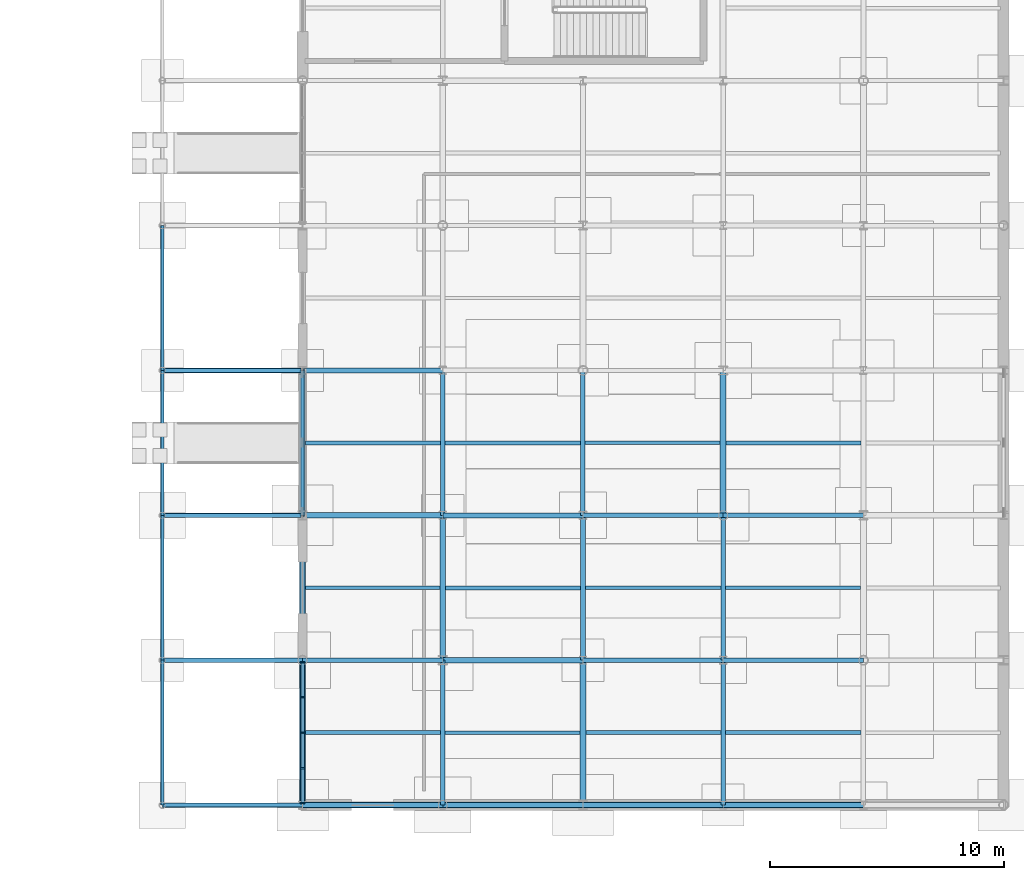
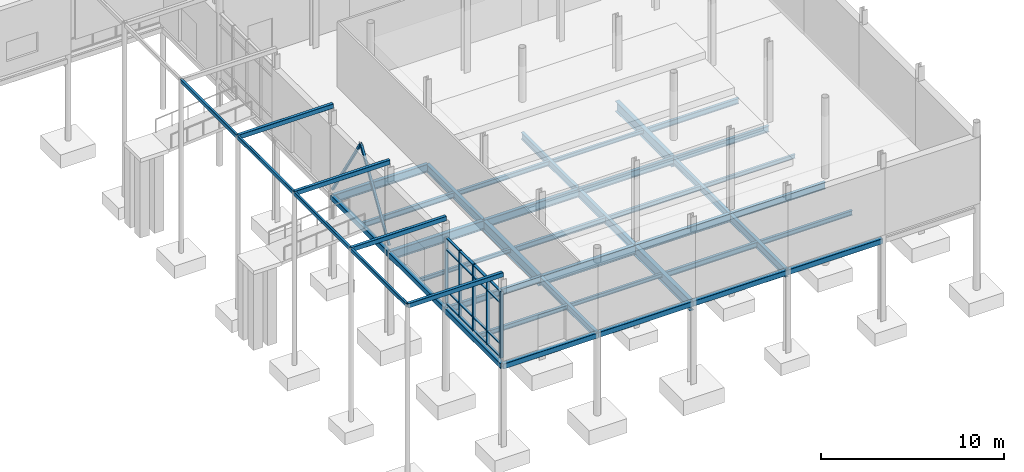
# One storey, part 49 of 98: 45 beams, 23 members, 1 element without a shape of its own.
"""IFC4 building model written with IfcOpenShell, lengths in metres."""

from ifc_helpers import new_model, si_unit, direction, frame, origin, origin_2d, place, context, subcontext, project, spatial, rectangle, hollow_rectangle, i_section, extrude, material, layer, layer_set, material_profile, profile_set, type_object, element, aggregate, save


model = new_model("IFC4")

# Units and contexts
model_context = context("Model", 3, precision=1e-05, world=origin(), true_north=direction((0.0, 1.0)))
body_context = subcontext(model_context, "Body", "Model", "MODEL_VIEW")
ifc_project = project(units=[si_unit("LENGTHUNIT", "METRE"), si_unit("AREAUNIT", "SQUARE_METRE"), si_unit("VOLUMEUNIT", "CUBIC_METRE"), si_unit("PLANEANGLEUNIT", "RADIAN"), si_unit("MASSUNIT", "GRAM", prefix="KILO")], contexts=[model_context])

# Site, building, storey
site_placement = place(None, origin())
site = spatial("IfcSite", under=ifc_project, at=site_placement, CompositionType="ELEMENT")
building_placement = place(site_placement, origin())
building = spatial("IfcBuilding", under=site, at=building_placement, Name="Mirzam Square Science Centre", CompositionType="ELEMENT")
storey_placement = place(building_placement, origin())
storey = spatial("IfcBuildingStorey", under=building, at=storey_placement, Name="L00", CompositionType="ELEMENT", Elevation=0.0)

# Beams
ifc_material_1 = material(Name="Steel S355", Category="steel")
ifc_material_profile_1 = material_profile(ifc_material_1, i_section(OverallWidth=0.1787109375, OverallDepth=0.409423828125, WebThickness=0.0087890625, FlangeThickness=0.014404296875, FilletRadius=0.01025390625, at=origin_2d()), Name="406x178x67UB")
ifc_profile_set_1 = profile_set([ifc_material_profile_1], Name="Steel S355")
beam_type_1 = type_object("IfcBeamType", Name="BM-UB406", PredefinedType="BEAM", material=ifc_profile_set_1)
for number, where, z_axis, x_axis, name in (
    (1, (132.0, 6.199951171875, -0.504638671875), (1.0, 0.0, 0.0), (0.0, 1.0, 0.0), "L00 girder X23-2"),
    (2, (150.0, 12.39990234375, -0.504638671875), (1.0, 0.0, 0.0), (0.0, 1.0, 0.0), "L00 girder X26-3"),
):
    element("IfcBeam", number, at=place(storey_placement, frame(where, z_axis=z_axis, x_axis=x_axis)), inside=storey, type_object=beam_type_1, Name=name, PredefinedType="BEAM", context=body_context, shape_type="SweptSolid", body=[
        extrude(i_section(OverallWidth=0.1787109375, OverallDepth=0.409423828125, WebThickness=0.0087890625, FlangeThickness=0.014404296875, FilletRadius=0.01025390625, at=origin_2d()), origin(), (0.0, 0.0, 1.0), 6.0),
    ])
ifc_material_profile_2 = material_profile(ifc_material_1, i_section(OverallWidth=0.19140625, OverallDepth=0.4599609375, WebThickness=0.010009765625, FlangeThickness=0.01611328125, FilletRadius=0.01025390625, at=origin_2d()), Name="457x191x82UB")
ifc_profile_set_2 = profile_set([ifc_material_profile_2], Name="Steel S355")
beam_type_2 = type_object("IfcBeamType", Name="BM-UB457", PredefinedType="BEAM", material=ifc_profile_set_2)
for number, where, z_axis, x_axis, name in (
    (3, (150.0, 6.199951171875, -0.530029296875), (1.0, 0.0, 0.0), (0.0, 1.0, 0.0), "L00 girder X26-2"),
    (4, (144.0, 12.39990234375, -0.530029296875), (1.0, 0.0, 0.0), (0.0, 1.0, 0.0), "L00 girder X25-3"),
):
    element("IfcBeam", number, at=place(storey_placement, frame(where, z_axis=z_axis, x_axis=x_axis)), inside=storey, type_object=beam_type_2, Name=name, PredefinedType="BEAM", context=body_context, shape_type="SweptSolid", body=[
        extrude(i_section(OverallWidth=0.19140625, OverallDepth=0.4599609375, WebThickness=0.010009765625, FlangeThickness=0.01611328125, FilletRadius=0.01025390625, at=origin_2d()), origin(), (0.0, 0.0, 1.0), 6.0),
    ])
beam_1_placement = place(storey_placement, frame((138.0, 0.0, -0.530029296875), z_axis=(0.0, 1.0, 0.0), x_axis=(-1.0, 0.0, 0.0)))
element("IfcBeam", 5, at=beam_1_placement, inside=storey, type_object=beam_type_2, Name="L00 girder Y24-1", PredefinedType="BEAM", context=body_context, shape_type="SweptSolid", body=[
    extrude(i_section(OverallWidth=0.19140625, OverallDepth=0.4599609375, WebThickness=0.010009765625, FlangeThickness=0.01611328125, FilletRadius=0.01025390625, at=origin_2d()), origin(), (0.0, 0.0, 1.0), 6.199951171875),
])
beam_2_placement = place(storey_placement, frame((144.0, 12.39990234375, -0.530029296875), z_axis=(0.0, 1.0, 0.0), x_axis=(-1.0, 0.0, 0.0)))
element("IfcBeam", 6, at=beam_2_placement, inside=storey, type_object=beam_type_2, Name="L00 girder Y25-3", PredefinedType="BEAM", context=body_context, shape_type="SweptSolid", body=[
    extrude(i_section(OverallWidth=0.19140625, OverallDepth=0.4599609375, WebThickness=0.010009765625, FlangeThickness=0.01611328125, FilletRadius=0.01025390625, at=origin_2d()), origin(), (0.0, 0.0, 1.0), 6.2001953125),
])
beam_3_placement = place(storey_placement, frame((150.0, 6.199951171875, -0.530029296875), z_axis=(0.0, 1.0, 0.0), x_axis=(-1.0, 0.0, 0.0)))
element("IfcBeam", 7, at=beam_3_placement, inside=storey, type_object=beam_type_2, Name="L00 girder Y26-2", PredefinedType="BEAM", context=body_context, shape_type="SweptSolid", body=[
    extrude(i_section(OverallWidth=0.19140625, OverallDepth=0.4599609375, WebThickness=0.010009765625, FlangeThickness=0.01611328125, FilletRadius=0.01025390625, at=origin_2d()), origin(), (0.0, 0.0, 1.0), 6.199951171875),
])
ifc_material_profile_3 = material_profile(ifc_material_1, i_section(OverallWidth=0.2099609375, OverallDepth=0.53662109375, WebThickness=0.0107421875, FlangeThickness=0.017333984375, FilletRadius=0.0126953125, at=origin_2d()), Name="533x210x101UB")
ifc_profile_set_3 = profile_set([ifc_material_profile_3], Name="Steel S355")
beam_type_3 = type_object("IfcBeamType", Name="BM-UB533", PredefinedType="BEAM", material=ifc_profile_set_3)
for number, where, z_axis, x_axis, name in (
    (8, (144.0, 6.199951171875, -0.568359375), (1.0, 0.0, 0.0), (0.0, 1.0, 0.0), "L00 girder X25-2"),
    (9, (138.0, 12.39990234375, -0.568359375), (1.0, 0.0, 0.0), (0.0, 1.0, 0.0), "L00 girder X24-3"),
    (10, (132.0, 18.60009765625, -0.568359375), (1.0, 0.0, 0.0), (0.0, 1.0, 0.0), "L00 girder X23-4"),
):
    element("IfcBeam", number, at=place(storey_placement, frame(where, z_axis=z_axis, x_axis=x_axis)), inside=storey, type_object=beam_type_3, Name=name, PredefinedType="BEAM", context=body_context, shape_type="SweptSolid", body=[
        extrude(i_section(OverallWidth=0.2099609375, OverallDepth=0.53662109375, WebThickness=0.0107421875, FlangeThickness=0.017333984375, FilletRadius=0.0126953125, at=origin_2d()), origin(), (0.0, 0.0, 1.0), 6.0),
    ])
beam_4_placement = place(storey_placement, frame((138.0, 12.39990234375, -0.568359375), z_axis=(0.0, 1.0, 0.0), x_axis=(-1.0, 0.0, 0.0)))
element("IfcBeam", 11, at=beam_4_placement, inside=storey, type_object=beam_type_3, Name="L00 girder Y24-3", PredefinedType="BEAM", context=body_context, shape_type="SweptSolid", body=[
    extrude(i_section(OverallWidth=0.2099609375, OverallDepth=0.53662109375, WebThickness=0.0107421875, FlangeThickness=0.017333984375, FilletRadius=0.0126953125, at=origin_2d()), origin(), (0.0, 0.0, 1.0), 6.2001953125),
])
for number, where, z_axis, x_axis, name in (
    (12, (144.0, 6.199951171875, -0.568359375), (0.0, 1.0, 0.0), (-1.0, 0.0, 0.0), "L00 girder Y25-2"),
    (13, (150.0, 0.0, -0.568359375), (0.0, 1.0, 0.0), (-1.0, 0.0, 0.0), "L00 girder Y26-1"),
):
    element("IfcBeam", number, at=place(storey_placement, frame(where, z_axis=z_axis, x_axis=x_axis)), inside=storey, type_object=beam_type_3, Name=name, PredefinedType="BEAM", context=body_context, shape_type="SweptSolid", body=[
        extrude(i_section(OverallWidth=0.2099609375, OverallDepth=0.53662109375, WebThickness=0.0107421875, FlangeThickness=0.017333984375, FilletRadius=0.0126953125, at=origin_2d()), origin(), (0.0, 0.0, 1.0), 6.199951171875),
    ])
ifc_material_profile_4 = material_profile(ifc_material_1, i_section(OverallWidth=0.22900390625, OverallDepth=0.6123046875, WebThickness=0.011962890625, FlangeThickness=0.01953125, FilletRadius=0.0126953125, at=origin_2d()), Name="610x229x125UB")
ifc_profile_set_4 = profile_set([ifc_material_profile_4], Name="Steel S355")
beam_type_4 = type_object("IfcBeamType", Name="BM-UB610", PredefinedType="BEAM", material=ifc_profile_set_4)
for number, where, z_axis, x_axis, name in (
    (14, (138.0, 6.199951171875, -0.606201171875), (1.0, 0.0, 0.0), (0.0, 1.0, 0.0), "L00 girder X24-2"),
    (15, (132.0, 12.39990234375, -0.606201171875), (1.0, 0.0, 0.0), (0.0, 1.0, 0.0), "L00 girder X23-3"),
):
    element("IfcBeam", number, at=place(storey_placement, frame(where, z_axis=z_axis, x_axis=x_axis)), inside=storey, type_object=beam_type_4, Name=name, PredefinedType="BEAM", context=body_context, shape_type="SweptSolid", body=[
        extrude(i_section(OverallWidth=0.22900390625, OverallDepth=0.6123046875, WebThickness=0.011962890625, FlangeThickness=0.01953125, FilletRadius=0.0126953125, at=origin_2d()), origin(), (0.0, 0.0, 1.0), 6.0),
    ])
ifc_material_profile_5 = material_profile(ifc_material_1, i_section(OverallWidth=0.25439453125, OverallDepth=0.6875, WebThickness=0.01318359375, FlangeThickness=0.02099609375, FilletRadius=0.01513671875, at=origin_2d()), Name="686x254x152UB")
ifc_profile_set_5 = profile_set([ifc_material_profile_5], Name="Steel S355")
beam_type_5 = type_object("IfcBeamType", Name="BM-UB686", PredefinedType="BEAM", material=ifc_profile_set_5)
for number, where, z_axis, x_axis, name in (
    (16, (138.0, 6.199951171875, -0.643798828125), (0.0, 1.0, 0.0), (-1.0, 0.0, 0.0), "L00 girder Y24-2"),
    (17, (144.0, 0.0, -0.643798828125), (0.0, 1.0, 0.0), (-1.0, 0.0, 0.0), "L00 girder Y25-1"),
):
    element("IfcBeam", number, at=place(storey_placement, frame(where, z_axis=z_axis, x_axis=x_axis)), inside=storey, type_object=beam_type_5, Name=name, PredefinedType="BEAM", context=body_context, shape_type="SweptSolid", body=[
        extrude(i_section(OverallWidth=0.25439453125, OverallDepth=0.6875, WebThickness=0.01318359375, FlangeThickness=0.02099609375, FilletRadius=0.01513671875, at=origin_2d()), origin(), (0.0, 0.0, 1.0), 6.199951171875),
    ])
beam_5_placement = place(storey_placement, frame((150.0, 12.39990234375, -0.643798828125), z_axis=(0.0, 1.0, 0.0), x_axis=(-1.0, 0.0, 0.0)))
element("IfcBeam", 18, at=beam_5_placement, inside=storey, type_object=beam_type_5, Name="L00 girder Y26-3", PredefinedType="BEAM", context=body_context, shape_type="SweptSolid", body=[
    extrude(i_section(OverallWidth=0.25439453125, OverallDepth=0.6875, WebThickness=0.01318359375, FlangeThickness=0.02099609375, FilletRadius=0.01513671875, at=origin_2d()), origin(), (0.0, 0.0, 1.0), 6.2001953125),
])

# Members
ifc_material_profile_6 = material_profile(ifc_material_1, hollow_rectangle(XDim=0.14990234375, YDim=0.14990234375, WallThickness=0.008056640625, InnerFilletRadius=0.008056640625, OuterFilletRadius=0.01611328125, at=origin_2d()), Name="150x150x8.0SHS")
ifc_profile_set_6 = profile_set([ifc_material_profile_6], Name="Steel S355")
member_type_1 = type_object("IfcMemberType", Name="BR-SHS150", PredefinedType="BRACE", material=ifc_profile_set_6)
for number, where, z_axis, x_axis, name in (
    (19, (132.0, 12.39990234375, 0.050048828125), (0.0, 0.532707561114, 0.84629938812), (-1.0, 0.0, 0.0), "L00 chevron brace 6A"),
    (20, (132.0, 18.60009765625, 0.050048828125), (0.0, -0.532707561114, 0.84629938812), (1.0, 0.0, 0.0), "L00 chevron brace 6B"),
):
    element("IfcMember", number, at=place(storey_placement, frame(where, z_axis=z_axis, x_axis=x_axis)), inside=storey, type_object=member_type_1, Name=name, PredefinedType="BRACE", context=body_context, shape_type="SweptSolid", body=[
        extrude(hollow_rectangle(XDim=0.14990234375, YDim=0.14990234375, WallThickness=0.008056640625, InnerFilletRadius=0.008056640625, OuterFilletRadius=0.01611328125, at=origin_2d()), origin(), (0.0, 0.0, 1.0), 5.819580078125),
    ])

# Curtain wall, members
ifc_material_2 = material(Name="Anodised Aluminium and Low-E Solar Glass", Category="aluminium")
ifc_layer = layer(ifc_material_2, 0.199951171875)
ifc_layer_set = layer_set([ifc_layer], Name="CW-EAST-A")
curtain_wall_type = type_object("IfcCurtainWallType", Name="CW-EAST-A", PredefinedType="USERDEFINED", material=ifc_layer_set)
curtain_wall_placement = place(storey_placement, origin())
curtain_wall = element("IfcCurtainWall", 21, at=curtain_wall_placement, inside=storey, type_object=curtain_wall_type, Name="L00 unitised curtain wall 58", ObjectType="UNITISED CURTAIN WALL", PredefinedType="USERDEFINED")
ifc_material_3 = material(Name="Anodised Architectural Aluminium 6063-T6", Category="aluminium")
ifc_material_profile_7 = material_profile(ifc_material_3, rectangle(XDim=0.06494140625, YDim=0.199951171875, at=origin_2d()), Name="ALU-MULL-200x65x5")
ifc_profile_set_7 = profile_set([ifc_material_profile_7], Name="Anodised Architectural Aluminium 6063-T6")
member_type_2 = type_object("IfcMemberType", Name="CWM-200", PredefinedType="MULLION", material=ifc_profile_set_7)
member_1_placement = place(storey_placement, frame((132.0, 6.112548828125, 0.0), z_axis=(0.0, 0.0, 1.0), x_axis=(0.0, -1.0, 0.0)))
member_1 = element("IfcMember", 22, at=member_1_placement, type_object=member_type_2, Name="CW-05 mullion 1", PredefinedType="MULLION", context=body_context, shape_type="SweptSolid", body=[
    extrude(rectangle(XDim=0.06494140625, YDim=0.199951171875, at=origin_2d()), origin(), (0.0, 0.0, 1.0), 4.43994140625),
])
member_2_placement = place(storey_placement, frame((132.0, 4.62255859375, 0.0), z_axis=(0.0, 0.0, 1.0), x_axis=(0.0, -1.0, 0.0)))
member_2 = element("IfcMember", 23, at=member_2_placement, type_object=member_type_2, Name="CW-05 mullion 2", PredefinedType="MULLION", context=body_context, shape_type="SweptSolid", body=[
    extrude(rectangle(XDim=0.06494140625, YDim=0.199951171875, at=origin_2d()), origin(), (0.0, 0.0, 1.0), 4.43994140625),
])
member_3_placement = place(storey_placement, frame((132.0, 3.10009765625, 0.0), z_axis=(0.0, 0.0, 1.0), x_axis=(0.0, -1.0, 0.0)))
member_3 = element("IfcMember", 24, at=member_3_placement, type_object=member_type_2, Name="CW-05 mullion 3", PredefinedType="MULLION", context=body_context, shape_type="SweptSolid", body=[
    extrude(rectangle(XDim=0.06494140625, YDim=0.199951171875, at=origin_2d()), origin(), (0.0, 0.0, 1.0), 4.43994140625),
])
member_4_placement = place(storey_placement, frame((132.0, 1.577392578125, 0.0), z_axis=(0.0, 0.0, 1.0), x_axis=(0.0, -1.0, 0.0)))
member_4 = element("IfcMember", 25, at=member_4_placement, type_object=member_type_2, Name="CW-05 mullion 4", PredefinedType="MULLION", context=body_context, shape_type="SweptSolid", body=[
    extrude(rectangle(XDim=0.06494140625, YDim=0.199951171875, at=origin_2d()), origin(), (0.0, 0.0, 1.0), 4.43994140625),
])
member_5_placement = place(storey_placement, frame((132.0, 0.08740234375, 0.0), z_axis=(0.0, 0.0, 1.0), x_axis=(0.0, -1.0, 0.0)))
member_5 = element("IfcMember", 26, at=member_5_placement, type_object=member_type_2, Name="CW-05 mullion 5", PredefinedType="MULLION", context=body_context, shape_type="SweptSolid", body=[
    extrude(rectangle(XDim=0.06494140625, YDim=0.199951171875, at=origin_2d()), origin(), (0.0, 0.0, 1.0), 4.43994140625),
])
ifc_material_profile_8 = material_profile(ifc_material_3, rectangle(XDim=0.14990234375, YDim=0.06494140625, at=origin_2d()), Name="ALU-TRAN-150x65x4")
ifc_profile_set_8 = profile_set([ifc_material_profile_8], Name="Anodised Architectural Aluminium 6063-T6")
member_type_3 = type_object("IfcMemberType", Name="CWT-150", PredefinedType="USERDEFINED", material=ifc_profile_set_8)
member_6_placement = place(storey_placement, frame((132.0, 6.080078125, 0.032470703125), z_axis=(0.0, -1.0, 0.0), x_axis=(1.0, 0.0, 0.0)))
member_6 = element("IfcMember", 27, at=member_6_placement, type_object=member_type_3, Name="CW-05 transom 1.1", ObjectType="TRANSOM", PredefinedType="USERDEFINED", context=body_context, shape_type="SweptSolid", body=[
    extrude(rectangle(XDim=0.14990234375, YDim=0.06494140625, at=origin_2d()), origin(), (0.0, 0.0, 1.0), 1.425048828125),
])
member_7_placement = place(storey_placement, frame((132.0, 6.080078125, 0.89990234375), z_axis=(0.0, -1.0, 0.0), x_axis=(1.0, 0.0, 0.0)))
member_7 = element("IfcMember", 28, at=member_7_placement, type_object=member_type_3, Name="CW-05 transom 1.2", ObjectType="TRANSOM", PredefinedType="USERDEFINED", context=body_context, shape_type="SweptSolid", body=[
    extrude(rectangle(XDim=0.14990234375, YDim=0.06494140625, at=origin_2d()), origin(), (0.0, 0.0, 1.0), 1.425048828125),
])
member_8_placement = place(storey_placement, frame((132.0, 6.080078125, 3.639892578125), z_axis=(0.0, -1.0, 0.0), x_axis=(1.0, 0.0, 0.0)))
member_8 = element("IfcMember", 29, at=member_8_placement, type_object=member_type_3, Name="CW-05 transom 1.3", ObjectType="TRANSOM", PredefinedType="USERDEFINED", context=body_context, shape_type="SweptSolid", body=[
    extrude(rectangle(XDim=0.14990234375, YDim=0.06494140625, at=origin_2d()), origin(), (0.0, 0.0, 1.0), 1.425048828125),
])
member_9_placement = place(storey_placement, frame((132.0, 6.080078125, 4.407470703125), z_axis=(0.0, -1.0, 0.0), x_axis=(1.0, 0.0, 0.0)))
member_9 = element("IfcMember", 30, at=member_9_placement, type_object=member_type_3, Name="CW-05 transom 1.4", ObjectType="TRANSOM", PredefinedType="USERDEFINED", context=body_context, shape_type="SweptSolid", body=[
    extrude(rectangle(XDim=0.14990234375, YDim=0.06494140625, at=origin_2d()), origin(), (0.0, 0.0, 1.0), 1.425048828125),
])
member_10_placement = place(storey_placement, frame((132.0, 4.590087890625, 0.032470703125), z_axis=(0.0, -1.0, 0.0), x_axis=(1.0, 0.0, 0.0)))
member_10 = element("IfcMember", 31, at=member_10_placement, type_object=member_type_3, Name="CW-05 transom 2.1", ObjectType="TRANSOM", PredefinedType="USERDEFINED", context=body_context, shape_type="SweptSolid", body=[
    extrude(rectangle(XDim=0.14990234375, YDim=0.06494140625, at=origin_2d()), origin(), (0.0, 0.0, 1.0), 1.45751953125),
])
member_11_placement = place(storey_placement, frame((132.0, 4.590087890625, 0.89990234375), z_axis=(0.0, -1.0, 0.0), x_axis=(1.0, 0.0, 0.0)))
member_11 = element("IfcMember", 32, at=member_11_placement, type_object=member_type_3, Name="CW-05 transom 2.2", ObjectType="TRANSOM", PredefinedType="USERDEFINED", context=body_context, shape_type="SweptSolid", body=[
    extrude(rectangle(XDim=0.14990234375, YDim=0.06494140625, at=origin_2d()), origin(), (0.0, 0.0, 1.0), 1.45751953125),
])
member_12_placement = place(storey_placement, frame((132.0, 4.590087890625, 3.639892578125), z_axis=(0.0, -1.0, 0.0), x_axis=(1.0, 0.0, 0.0)))
member_12 = element("IfcMember", 33, at=member_12_placement, type_object=member_type_3, Name="CW-05 transom 2.3", ObjectType="TRANSOM", PredefinedType="USERDEFINED", context=body_context, shape_type="SweptSolid", body=[
    extrude(rectangle(XDim=0.14990234375, YDim=0.06494140625, at=origin_2d()), origin(), (0.0, 0.0, 1.0), 1.45751953125),
])
member_13_placement = place(storey_placement, frame((132.0, 4.590087890625, 4.407470703125), z_axis=(0.0, -1.0, 0.0), x_axis=(1.0, 0.0, 0.0)))
member_13 = element("IfcMember", 34, at=member_13_placement, type_object=member_type_3, Name="CW-05 transom 2.4", ObjectType="TRANSOM", PredefinedType="USERDEFINED", context=body_context, shape_type="SweptSolid", body=[
    extrude(rectangle(XDim=0.14990234375, YDim=0.06494140625, at=origin_2d()), origin(), (0.0, 0.0, 1.0), 1.45751953125),
])
member_14_placement = place(storey_placement, frame((132.0, 3.0673828125, 0.032470703125), z_axis=(0.0, -1.0, 0.0), x_axis=(1.0, 0.0, 0.0)))
member_14 = element("IfcMember", 35, at=member_14_placement, type_object=member_type_3, Name="CW-05 transom 3.1", ObjectType="TRANSOM", PredefinedType="USERDEFINED", context=body_context, shape_type="SweptSolid", body=[
    extrude(rectangle(XDim=0.14990234375, YDim=0.06494140625, at=origin_2d()), origin(), (0.0, 0.0, 1.0), 1.457275390625),
])
member_15_placement = place(storey_placement, frame((132.0, 3.0673828125, 0.89990234375), z_axis=(0.0, -1.0, 0.0), x_axis=(1.0, 0.0, 0.0)))
member_15 = element("IfcMember", 36, at=member_15_placement, type_object=member_type_3, Name="CW-05 transom 3.2", ObjectType="TRANSOM", PredefinedType="USERDEFINED", context=body_context, shape_type="SweptSolid", body=[
    extrude(rectangle(XDim=0.14990234375, YDim=0.06494140625, at=origin_2d()), origin(), (0.0, 0.0, 1.0), 1.457275390625),
])
member_16_placement = place(storey_placement, frame((132.0, 3.0673828125, 3.639892578125), z_axis=(0.0, -1.0, 0.0), x_axis=(1.0, 0.0, 0.0)))
member_16 = element("IfcMember", 37, at=member_16_placement, type_object=member_type_3, Name="CW-05 transom 3.3", ObjectType="TRANSOM", PredefinedType="USERDEFINED", context=body_context, shape_type="SweptSolid", body=[
    extrude(rectangle(XDim=0.14990234375, YDim=0.06494140625, at=origin_2d()), origin(), (0.0, 0.0, 1.0), 1.457275390625),
])
member_17_placement = place(storey_placement, frame((132.0, 3.0673828125, 4.407470703125), z_axis=(0.0, -1.0, 0.0), x_axis=(1.0, 0.0, 0.0)))
member_17 = element("IfcMember", 38, at=member_17_placement, type_object=member_type_3, Name="CW-05 transom 3.4", ObjectType="TRANSOM", PredefinedType="USERDEFINED", context=body_context, shape_type="SweptSolid", body=[
    extrude(rectangle(XDim=0.14990234375, YDim=0.06494140625, at=origin_2d()), origin(), (0.0, 0.0, 1.0), 1.457275390625),
])
member_18_placement = place(storey_placement, frame((132.0, 1.544921875, 0.032470703125), z_axis=(0.0, -1.0, 0.0), x_axis=(1.0, 0.0, 0.0)))
member_18 = element("IfcMember", 39, at=member_18_placement, type_object=member_type_3, Name="CW-05 transom 4.1", ObjectType="TRANSOM", PredefinedType="USERDEFINED", context=body_context, shape_type="SweptSolid", body=[
    extrude(rectangle(XDim=0.14990234375, YDim=0.06494140625, at=origin_2d()), origin(), (0.0, 0.0, 1.0), 1.4248046875),
])
member_19_placement = place(storey_placement, frame((132.0, 1.544921875, 0.89990234375), z_axis=(0.0, -1.0, 0.0), x_axis=(1.0, 0.0, 0.0)))
member_19 = element("IfcMember", 40, at=member_19_placement, type_object=member_type_3, Name="CW-05 transom 4.2", ObjectType="TRANSOM", PredefinedType="USERDEFINED", context=body_context, shape_type="SweptSolid", body=[
    extrude(rectangle(XDim=0.14990234375, YDim=0.06494140625, at=origin_2d()), origin(), (0.0, 0.0, 1.0), 1.4248046875),
])
member_20_placement = place(storey_placement, frame((132.0, 1.544921875, 3.639892578125), z_axis=(0.0, -1.0, 0.0), x_axis=(1.0, 0.0, 0.0)))
member_20 = element("IfcMember", 41, at=member_20_placement, type_object=member_type_3, Name="CW-05 transom 4.3", ObjectType="TRANSOM", PredefinedType="USERDEFINED", context=body_context, shape_type="SweptSolid", body=[
    extrude(rectangle(XDim=0.14990234375, YDim=0.06494140625, at=origin_2d()), origin(), (0.0, 0.0, 1.0), 1.4248046875),
])
member_21_placement = place(storey_placement, frame((132.0, 1.544921875, 4.407470703125), z_axis=(0.0, -1.0, 0.0), x_axis=(1.0, 0.0, 0.0)))
member_21 = element("IfcMember", 42, at=member_21_placement, type_object=member_type_3, Name="CW-05 transom 4.4", ObjectType="TRANSOM", PredefinedType="USERDEFINED", context=body_context, shape_type="SweptSolid", body=[
    extrude(rectangle(XDim=0.14990234375, YDim=0.06494140625, at=origin_2d()), origin(), (0.0, 0.0, 1.0), 1.4248046875),
])
aggregate(curtain_wall, [member_1, member_2, member_3, member_4, member_5, member_6, member_7, member_8, member_9, member_10, member_11, member_12, member_13, member_14, member_15, member_16, member_17, member_18, member_19, member_20, member_21])

# Beams
ifc_material_profile_9 = material_profile(ifc_material_1, i_section(OverallWidth=0.146484375, OverallDepth=0.256103515625, WebThickness=0.00634765625, FlangeThickness=0.010986328125, FilletRadius=0.007568359375, at=origin_2d()), Name="254x146x37UB")
ifc_profile_set_9 = profile_set([ifc_material_profile_9], Name="Steel S355")
beam_type_6 = type_object("IfcBeamType", Name="JS-UB254", PredefinedType="JOIST", material=ifc_profile_set_9)
beam_6_placement = place(storey_placement, frame((132.125, 9.300048828125, -0.427978515625), z_axis=(1.0, 0.0, 0.0), x_axis=(0.0, 1.0, 0.0)))
element("IfcBeam", 43, at=beam_6_placement, inside=storey, type_object=beam_type_6, Name="L00 composite joist 23-2", PredefinedType="JOIST", context=body_context, shape_type="SweptSolid", body=[
    extrude(i_section(OverallWidth=0.146484375, OverallDepth=0.256103515625, WebThickness=0.00634765625, FlangeThickness=0.010986328125, FilletRadius=0.007568359375, at=origin_2d()), origin(), (0.0, 0.0, 1.0), 5.747802734375),
])
for number, where, z_axis, x_axis, name in (
    (44, (138.095703125, 3.10009765625, -0.427978515625), (1.0, 0.0, 0.0), (0.0, 1.0, 0.0), "L00 composite joist 24-1"),
    (45, (144.095703125, 15.5, -0.427978515625), (1.0, 0.0, 0.0), (0.0, 1.0, 0.0), "L00 composite joist 25-3"),
    (46, (150.095703125, 9.300048828125, -0.427978515625), (1.0, 0.0, 0.0), (0.0, 1.0, 0.0), "L00 composite joist 26-2"),
):
    element("IfcBeam", number, at=place(storey_placement, frame(where, z_axis=z_axis, x_axis=x_axis)), inside=storey, type_object=beam_type_6, Name=name, PredefinedType="JOIST", context=body_context, shape_type="SweptSolid", body=[
        extrude(i_section(OverallWidth=0.146484375, OverallDepth=0.256103515625, WebThickness=0.00634765625, FlangeThickness=0.010986328125, FilletRadius=0.007568359375, at=origin_2d()), origin(), (0.0, 0.0, 1.0), 5.777099609375),
    ])
ifc_material_profile_10 = material_profile(ifc_material_1, i_section(OverallWidth=0.165771484375, OverallDepth=0.306640625, WebThickness=0.006591796875, FlangeThickness=0.01171875, FilletRadius=0.0087890625, at=origin_2d()), Name="305x165x46UB")
ifc_profile_set_10 = profile_set([ifc_material_profile_10], Name="Steel S355")
beam_type_7 = type_object("IfcBeamType", Name="JS-UB305", PredefinedType="JOIST", material=ifc_profile_set_10)
beam_7_placement = place(storey_placement, frame((132.125, 3.10009765625, -0.453369140625), z_axis=(1.0, 0.0, 0.0), x_axis=(0.0, 1.0, 0.0)))
element("IfcBeam", 47, at=beam_7_placement, inside=storey, type_object=beam_type_7, Name="L00 composite joist 23-1", PredefinedType="JOIST", context=body_context, shape_type="SweptSolid", body=[
    extrude(i_section(OverallWidth=0.165771484375, OverallDepth=0.306640625, WebThickness=0.006591796875, FlangeThickness=0.01171875, FilletRadius=0.0087890625, at=origin_2d()), origin(), (0.0, 0.0, 1.0), 5.779296875),
])
for number, where, z_axis, x_axis, name in (
    (48, (138.10498046875, 15.5, -0.453369140625), (1.0, 0.0, 0.0), (0.0, 1.0, 0.0), "L00 composite joist 24-3"),
    (49, (144.10498046875, 9.300048828125, -0.453369140625), (1.0, 0.0, 0.0), (0.0, 1.0, 0.0), "L00 composite joist 25-2"),
    (50, (150.10498046875, 3.10009765625, -0.453369140625), (1.0, 0.0, 0.0), (0.0, 1.0, 0.0), "L00 composite joist 26-1"),
):
    element("IfcBeam", number, at=place(storey_placement, frame(where, z_axis=z_axis, x_axis=x_axis)), inside=storey, type_object=beam_type_7, Name=name, PredefinedType="JOIST", context=body_context, shape_type="SweptSolid", body=[
        extrude(i_section(OverallWidth=0.165771484375, OverallDepth=0.306640625, WebThickness=0.006591796875, FlangeThickness=0.01171875, FilletRadius=0.0087890625, at=origin_2d()), origin(), (0.0, 0.0, 1.0), 5.79931640625),
    ])
ifc_material_profile_11 = material_profile(ifc_material_1, i_section(OverallWidth=0.172119140625, OverallDepth=0.35791015625, WebThickness=0.008056640625, FlangeThickness=0.012939453125, FilletRadius=0.01025390625, at=origin_2d()), Name="356x171x57UB")
ifc_profile_set_11 = profile_set([ifc_material_profile_11], Name="Steel S355")
beam_type_8 = type_object("IfcBeamType", Name="JS-UB356", PredefinedType="JOIST", material=ifc_profile_set_11)
beam_8_placement = place(storey_placement, frame((132.125, 15.5, -0.47900390625), z_axis=(1.0, 0.0, 0.0), x_axis=(0.0, 1.0, 0.0)))
element("IfcBeam", 51, at=beam_8_placement, inside=storey, type_object=beam_type_8, Name="L00 composite joist 23-3", PredefinedType="JOIST", context=body_context, shape_type="SweptSolid", body=[
    extrude(i_section(OverallWidth=0.172119140625, OverallDepth=0.35791015625, WebThickness=0.008056640625, FlangeThickness=0.012939453125, FilletRadius=0.01025390625, at=origin_2d()), origin(), (0.0, 0.0, 1.0), 5.77001953125),
])
for number, where, z_axis, x_axis, name in (
    (52, (138.127197265625, 9.300048828125, -0.47900390625), (1.0, 0.0, 0.0), (0.0, 1.0, 0.0), "L00 composite joist 24-2"),
    (53, (144.127197265625, 3.10009765625, -0.47900390625), (1.0, 0.0, 0.0), (0.0, 1.0, 0.0), "L00 composite joist 25-1"),
    (54, (150.127197265625, 15.5, -0.47900390625), (1.0, 0.0, 0.0), (0.0, 1.0, 0.0), "L00 composite joist 26-3"),
):
    element("IfcBeam", number, at=place(storey_placement, frame(where, z_axis=z_axis, x_axis=x_axis)), inside=storey, type_object=beam_type_8, Name=name, PredefinedType="JOIST", context=body_context, shape_type="SweptSolid", body=[
        extrude(i_section(OverallWidth=0.172119140625, OverallDepth=0.35791015625, WebThickness=0.008056640625, FlangeThickness=0.012939453125, FilletRadius=0.01025390625, at=origin_2d()), origin(), (0.0, 0.0, 1.0), 5.767822265625),
    ])
ifc_material_profile_12 = material_profile(ifc_material_1, hollow_rectangle(XDim=0.14990234375, YDim=0.25, WallThickness=0.010009765625, InnerFilletRadius=0.010009765625, OuterFilletRadius=0.02001953125, at=origin_2d()), Name="250x150x10.0RHS")
ifc_profile_set_12 = profile_set([ifc_material_profile_12], Name="Steel S355")
beam_type_9 = type_object("IfcBeamType", Name="SP-RHS250", PredefinedType="SPANDREL", material=ifc_profile_set_12)
for number, where, z_axis, x_axis, name in (
    (55, (126.0, 0.0, 5.669921875), (0.0, 1.0, 0.0), (-1.0, 0.0, 0.0), "EARC colonnade longitudinal beam 1"),
    (56, (126.0, 6.199951171875, 5.669921875), (0.0, 1.0, 0.0), (-1.0, 0.0, 0.0), "EARC colonnade longitudinal beam 2"),
):
    element("IfcBeam", number, at=place(storey_placement, frame(where, z_axis=z_axis, x_axis=x_axis)), inside=storey, type_object=beam_type_9, Name=name, PredefinedType="SPANDREL", context=body_context, shape_type="SweptSolid", body=[
        extrude(hollow_rectangle(XDim=0.14990234375, YDim=0.25, WallThickness=0.010009765625, InnerFilletRadius=0.010009765625, OuterFilletRadius=0.02001953125, at=origin_2d()), origin(), (0.0, 0.0, 1.0), 6.199951171875),
    ])
beam_9_placement = place(storey_placement, frame((126.0, 12.39990234375, 5.669921875), z_axis=(0.0, 1.0, 0.0), x_axis=(-1.0, 0.0, 0.0)))
element("IfcBeam", 57, at=beam_9_placement, inside=storey, type_object=beam_type_9, Name="EARC colonnade longitudinal beam 3", PredefinedType="SPANDREL", context=body_context, shape_type="SweptSolid", body=[
    extrude(hollow_rectangle(XDim=0.14990234375, YDim=0.25, WallThickness=0.010009765625, InnerFilletRadius=0.010009765625, OuterFilletRadius=0.02001953125, at=origin_2d()), origin(), (0.0, 0.0, 1.0), 6.2001953125),
])
beam_10_placement = place(storey_placement, frame((126.0, 18.60009765625, 5.669921875), z_axis=(0.0, 1.0, 0.0), x_axis=(-1.0, 0.0, 0.0)))
element("IfcBeam", 58, at=beam_10_placement, inside=storey, type_object=beam_type_9, Name="EARC colonnade longitudinal beam 4", PredefinedType="SPANDREL", context=body_context, shape_type="SweptSolid", body=[
    extrude(hollow_rectangle(XDim=0.14990234375, YDim=0.25, WallThickness=0.010009765625, InnerFilletRadius=0.010009765625, OuterFilletRadius=0.02001953125, at=origin_2d()), origin(), (0.0, 0.0, 1.0), 6.199951171875),
])
ifc_material_profile_13 = material_profile(ifc_material_1, hollow_rectangle(XDim=0.199951171875, YDim=0.300048828125, WallThickness=0.010009765625, InnerFilletRadius=0.010009765625, OuterFilletRadius=0.02001953125, at=origin_2d()), Name="300x200x10.0RHS")
ifc_profile_set_13 = profile_set([ifc_material_profile_13], Name="Steel S355")
beam_type_10 = type_object("IfcBeamType", Name="SP-RHS300", PredefinedType="SPANDREL", material=ifc_profile_set_13)
for number, where, z_axis, x_axis, name in (
    (59, (126.0, 0.0, 5.669921875), (1.0, 0.0, 0.0), (0.0, 1.0, 0.0), "EARC colonnade beam 1"),
    (60, (126.0, 6.199951171875, 5.669921875), (1.0, 0.0, 0.0), (0.0, 1.0, 0.0), "EARC colonnade beam 2"),
    (61, (126.0, 12.39990234375, 5.669921875), (1.0, 0.0, 0.0), (0.0, 1.0, 0.0), "EARC colonnade beam 3"),
    (62, (126.0, 18.60009765625, 5.669921875), (1.0, 0.0, 0.0), (0.0, 1.0, 0.0), "EARC colonnade beam 4"),
):
    element("IfcBeam", number, at=place(storey_placement, frame(where, z_axis=z_axis, x_axis=x_axis)), inside=storey, type_object=beam_type_10, Name=name, PredefinedType="SPANDREL", context=body_context, shape_type="SweptSolid", body=[
        extrude(hollow_rectangle(XDim=0.199951171875, YDim=0.300048828125, WallThickness=0.010009765625, InnerFilletRadius=0.010009765625, OuterFilletRadius=0.02001953125, at=origin_2d()), origin(), (0.0, 0.0, 1.0), 6.0),
    ])
ifc_material_profile_14 = material_profile(ifc_material_1, hollow_rectangle(XDim=0.25, YDim=0.35009765625, WallThickness=0.012451171875, InnerFilletRadius=0.012451171875, OuterFilletRadius=0.02490234375, at=origin_2d()), Name="350x250x12.5RHS")
ifc_profile_set_14 = profile_set([ifc_material_profile_14], Name="Steel S355")
beam_type_11 = type_object("IfcBeamType", Name="SP-RHS350", PredefinedType="SPANDREL", material=ifc_profile_set_14)
for number, where, z_axis, x_axis, name in (
    (63, (132.0, 0.0, -0.47509765625), (1.0, 0.0, 0.0), (0.0, 1.0, 0.0), "L00 girder X23-1"),
    (64, (138.0, 0.0, -0.47509765625), (1.0, 0.0, 0.0), (0.0, 1.0, 0.0), "L00 girder X24-1"),
    (65, (144.0, 0.0, -0.47509765625), (1.0, 0.0, 0.0), (0.0, 1.0, 0.0), "L00 girder X25-1"),
    (66, (150.0, 0.0, -0.47509765625), (1.0, 0.0, 0.0), (0.0, 1.0, 0.0), "L00 girder X26-1"),
):
    element("IfcBeam", number, at=place(storey_placement, frame(where, z_axis=z_axis, x_axis=x_axis)), inside=storey, type_object=beam_type_11, Name=name, PredefinedType="SPANDREL", context=body_context, shape_type="SweptSolid", body=[
        extrude(hollow_rectangle(XDim=0.25, YDim=0.35009765625, WallThickness=0.012451171875, InnerFilletRadius=0.012451171875, OuterFilletRadius=0.02490234375, at=origin_2d()), origin(), (0.0, 0.0, 1.0), 6.0),
    ])
for number, where, z_axis, x_axis, name in (
    (67, (132.0, 0.0, -0.47509765625), (0.0, 1.0, 0.0), (-1.0, 0.0, 0.0), "L00 girder Y23-1"),
    (68, (132.0, 6.199951171875, -0.47509765625), (0.0, 1.0, 0.0), (-1.0, 0.0, 0.0), "L00 girder Y23-2"),
):
    element("IfcBeam", number, at=place(storey_placement, frame(where, z_axis=z_axis, x_axis=x_axis)), inside=storey, type_object=beam_type_11, Name=name, PredefinedType="SPANDREL", context=body_context, shape_type="SweptSolid", body=[
        extrude(hollow_rectangle(XDim=0.25, YDim=0.35009765625, WallThickness=0.012451171875, InnerFilletRadius=0.012451171875, OuterFilletRadius=0.02490234375, at=origin_2d()), origin(), (0.0, 0.0, 1.0), 6.199951171875),
    ])
beam_11_placement = place(storey_placement, frame((132.0, 12.39990234375, -0.47509765625), z_axis=(0.0, 1.0, 0.0), x_axis=(-1.0, 0.0, 0.0)))
element("IfcBeam", 69, at=beam_11_placement, inside=storey, type_object=beam_type_11, Name="L00 girder Y23-3", PredefinedType="SPANDREL", context=body_context, shape_type="SweptSolid", body=[
    extrude(hollow_rectangle(XDim=0.25, YDim=0.35009765625, WallThickness=0.012451171875, InnerFilletRadius=0.012451171875, OuterFilletRadius=0.02490234375, at=origin_2d()), origin(), (0.0, 0.0, 1.0), 6.2001953125),
])

save(model, "model.ifc")
